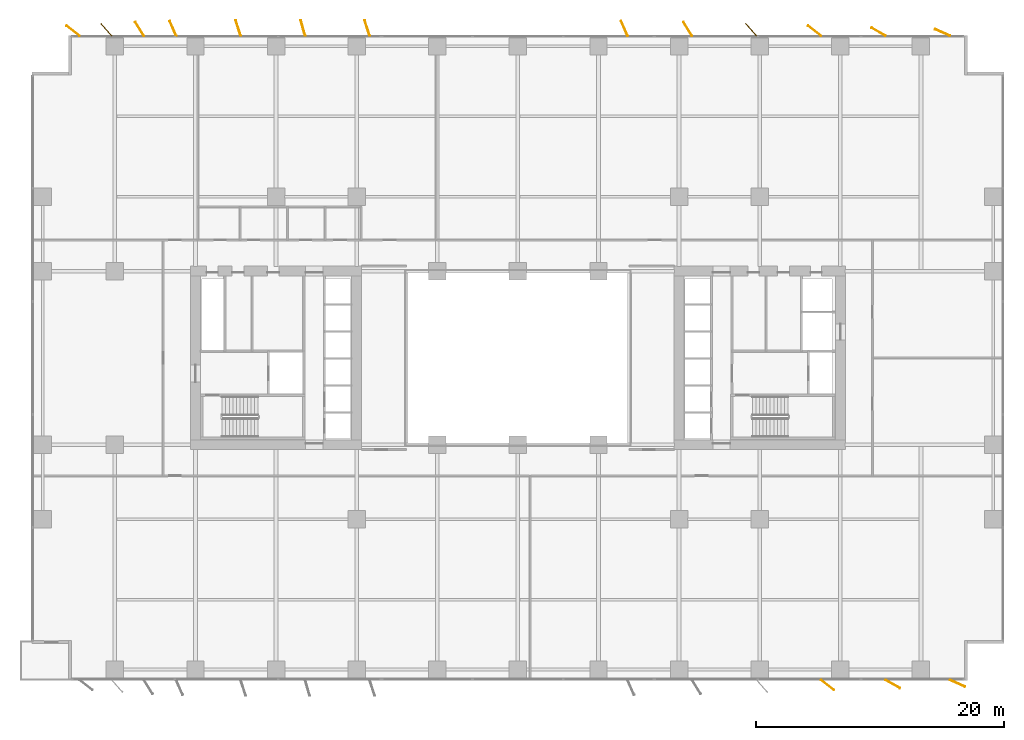
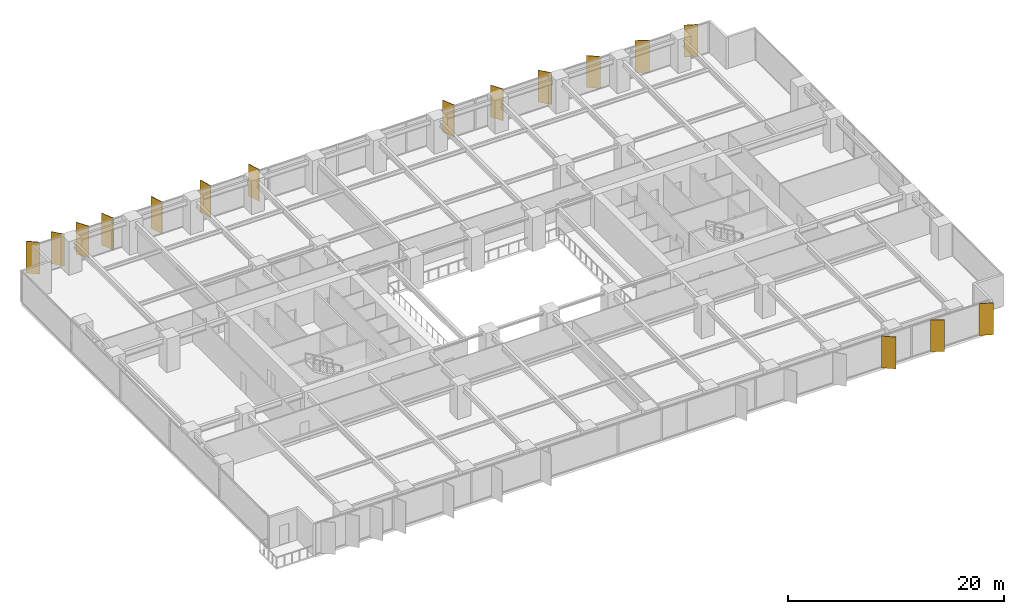
# One storey, part 20 of 20: 16 shading devices.
"""IFC4 building model written with IfcOpenShell, lengths in metres."""

from ifc_helpers import new_model, si_unit, direction, frame, origin, origin_2d, place, context, subcontext, project, spatial, rectangle, extrude, material, layer, layer_set, type_object, element, save


model = new_model("IFC4")

# Units and contexts
model_context = context("Model", 3, precision=1e-05, world=origin(), true_north=direction((0.0, 1.0)))
body_context = subcontext(model_context, "Body", "Model", "MODEL_VIEW")
ifc_project = project(units=[si_unit("LENGTHUNIT", "METRE"), si_unit("AREAUNIT", "SQUARE_METRE"), si_unit("VOLUMEUNIT", "CUBIC_METRE"), si_unit("PLANEANGLEUNIT", "RADIAN"), si_unit("MASSUNIT", "GRAM", prefix="KILO")], contexts=[model_context])

# Site, building, storey
site_placement = place(None, origin())
site = spatial("IfcSite", under=ifc_project, at=site_placement, CompositionType="ELEMENT")
building_placement = place(site_placement, origin())
building = spatial("IfcBuilding", under=site, at=building_placement, Name="Putna Gate Headquarters", CompositionType="ELEMENT")
storey_placement = place(building_placement, frame((0.0, 0.0, 35.39990234375)))
storey = spatial("IfcBuildingStorey", under=building, at=storey_placement, Name="L07", CompositionType="ELEMENT", Elevation=35.39990234375)

# Shading devices
ifc_material = material(Name="Anodised architectural bronze aluminium fin", Category="aluminium")
ifc_layer = layer(ifc_material, 0.06494140625)
ifc_layer_set = layer_set([ifc_layer], Name="Anodised architectural bronze aluminium fin")
shading_device_type = type_object("IfcShadingDeviceType", Name="SHADE-BRONZE-FIN-1320", PredefinedType="USERDEFINED", material=ifc_layer_set)
for number, where, z_axis, x_axis, name in (
    (1, (3.13037109375, 52.3818359375, -0.02001953125), (0.0, 0.0, 1.0), (-0.787473187632, 0.616348909921, 0.0), "L07 Bronze Vertical Shading Fin N1"),
    (2, (5.808349609375, 52.465576171875, -0.02001953125), (0.0, 0.0, 1.0), (-0.669130606359, 0.743144825477, 0.0), "L07 Bronze Vertical Shading Fin N2"),
    (3, (8.499755859375, 52.534423828125, -0.02001953125), (0.0, 0.0, 1.0), (-0.530659123936, 0.847585331506, 0.0), "L07 Bronze Vertical Shading Fin N3"),
    (4, (11.185546875, 52.57958984375, -0.02001953125), (0.0, 0.0, 1.0), (-0.400668879095, 0.916222925562, 0.0), "L07 Bronze Vertical Shading Fin N4"),
    (5, (16.4462890625, 52.602783203125, -0.02001953125), (0.0, 0.0, 1.0), (-0.308684994204, 0.951164325631, 0.0), "L07 Bronze Vertical Shading Fin N5"),
    (6, (21.668212890625, 52.609375, -0.02001953125), (0.0, 0.0, 1.0), (-0.275637355817, 0.961261695938, 0.0), "L07 Bronze Vertical Shading Fin N6"),
    (7, (26.84619140625, 52.602783203125, -0.02001953125), (0.0, 0.0, 1.0), (-0.308684994204, 0.951164325631, 0.0), "L07 Bronze Vertical Shading Fin N7"),
    (8, (47.585693359375, 52.57958984375, -0.02001953125), (0.0, 0.0, 1.0), (-0.400668879095, 0.916222925562, 0.0), "L07 Bronze Vertical Shading Fin N8"),
    (9, (52.69970703125, 52.534423828125, -0.02001953125), (0.0, 0.0, 1.0), (-0.530659123936, 0.847585331506, 0.0), "L07 Bronze Vertical Shading Fin N9"),
    (10, (57.808349609375, 52.465576171875, -0.02001953125), (0.0, 0.0, 1.0), (-0.669130606359, 0.743144825477, 0.0), "L07 Bronze Vertical Shading Fin N10"),
    (11, (63.9697265625, -0.3818359375, -0.02001953125), (0.0, 0.0, 1.0), (0.787473187632, -0.616348909921, 0.0), "L07 Bronze Vertical Shading Fin S11"),
    (12, (62.930419921875, 52.3818359375, -0.02001953125), (0.0, 0.0, 1.0), (-0.787473187632, 0.616348909921, 0.0), "L07 Bronze Vertical Shading Fin N11"),
    (13, (69.223876953125, -0.30126953125, -0.02001953125), (0.0, 0.0, 1.0), (0.869322458298, -0.494245347472, 0.0), "L07 Bronze Vertical Shading Fin S12"),
    (14, (68.076171875, 52.30126953125, -0.02001953125), (0.0, 0.0, 1.0), (-0.869322458298, 0.494245347472, 0.0), "L07 Bronze Vertical Shading Fin N12"),
    (15, (74.452880859375, -0.2431640625, -0.02001953125), (0.0, 0.0, 1.0), (0.913687379856, -0.40641773078, 0.0), "L07 Bronze Vertical Shading Fin S13"),
    (16, (73.2470703125, 52.2431640625, -0.02001953125), (0.0, 0.0, 1.0), (-0.913687379856, 0.40641773078, 0.0), "L07 Bronze Vertical Shading Fin N13"),
):
    element("IfcShadingDevice", number, at=place(storey_placement, frame(where, z_axis=z_axis, x_axis=x_axis)), inside=storey, type_object=shading_device_type, Name=name, ObjectType="FIN", PredefinedType="USERDEFINED", context=body_context, shape_type="SweptSolid", body=[
        extrude(rectangle(XDim=1.320068359375, YDim=0.06494140625, at=origin_2d()), origin(), (0.0, 0.0, 1.0), 3.590087890625),
    ])

save(model, "model.ifc")
